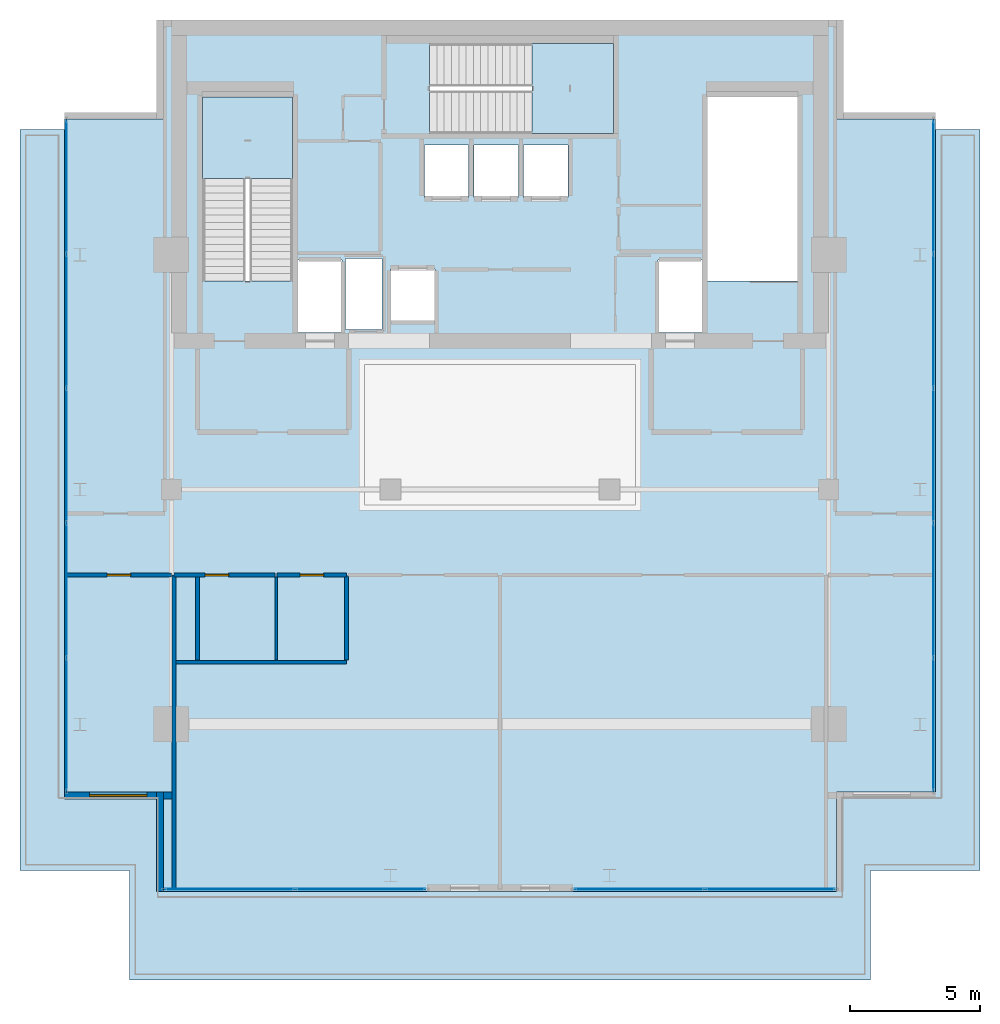
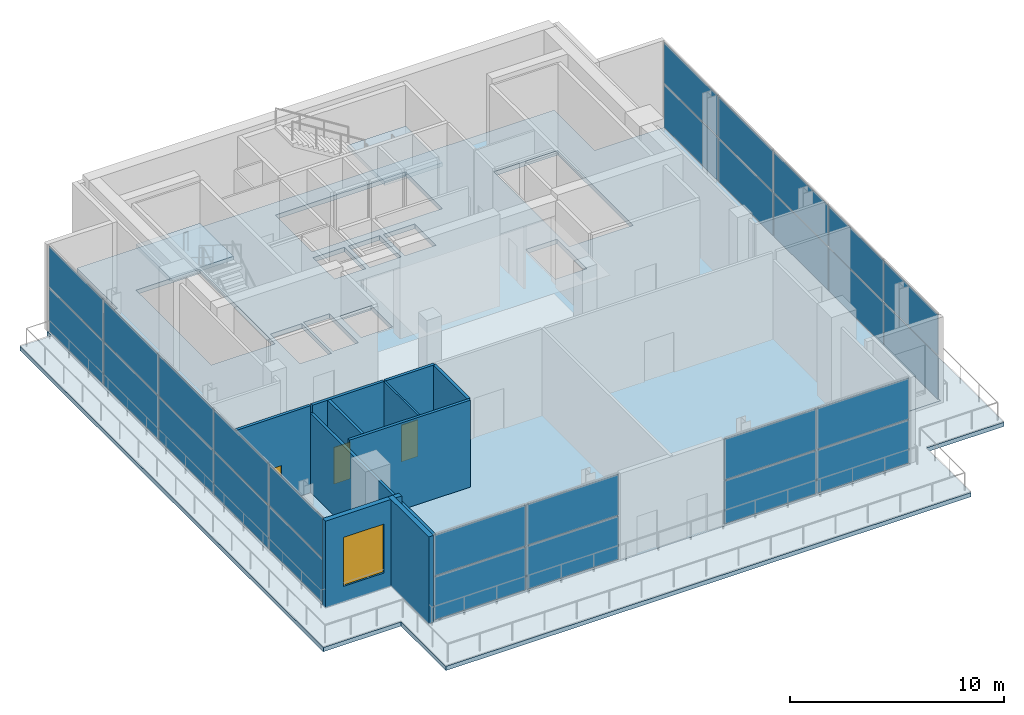
# One storey, part 12 of 19: 28 plates, 10 walls, 4 slabs, 3 doors, 1 window, 4 openings, 6 elements without a shape of their own.
"""IFC4 building model written with IfcOpenShell, lengths in metres."""

from ifc_helpers import new_model, si_unit, direction, frame, frame_2d, origin, origin_2d, place, context, subcontext, project, spatial, polyline, rectangle, outline, extrude, material, layer, layer_set, type_object, element, fill, aggregate, save


model = new_model("IFC4")

# Units and contexts
model_context = context("Model", 3, precision=1e-05, world=origin(), true_north=direction((0.0, 1.0)))
body_context = subcontext(model_context, "Body", "Model", "MODEL_VIEW")
ifc_project = project(units=[si_unit("LENGTHUNIT", "METRE"), si_unit("AREAUNIT", "SQUARE_METRE"), si_unit("VOLUMEUNIT", "CUBIC_METRE"), si_unit("PLANEANGLEUNIT", "RADIAN"), si_unit("MASSUNIT", "GRAM", prefix="KILO")], contexts=[model_context])

# Site, building, storey
site_placement = place(None, origin())
site = spatial("IfcSite", under=ifc_project, at=site_placement, CompositionType="ELEMENT")
building_placement = place(site_placement, origin())
building = spatial("IfcBuilding", under=site, at=building_placement, Name="Maruvema Waterfront Hotel and Observation Tower", CompositionType="ELEMENT")
storey_placement = place(building_placement, frame((0.0, 0.0, 359.10009765625)))
storey = spatial("IfcBuildingStorey", under=building, at=storey_placement, Name="L88", CompositionType="ELEMENT", Elevation=359.10009765625)

# Slabs
ifc_material_1 = material(Name="Concrete C50/60", Category="concrete")
ifc_layer_1 = layer(ifc_material_1, 0.239990234375, Name="Outdoor Setback Terrace Deck Slab 240 mm")
ifc_layer_set_1 = layer_set([ifc_layer_1], Name="Concrete C50/60")
slab_type_1 = type_object("IfcSlabType", Name="Outdoor Setback Terrace Deck Slab 240 mm", PredefinedType="FLOOR", material=ifc_layer_set_1)
slab_1_placement = place(storey_placement, frame((0.0, 0.0, -0.239990234375)))
element("IfcSlab", 1, at=slab_1_placement, inside=storey, type_object=slab_type_1, Name="L88 Outdoor Setback Terrace Deck 1", PredefinedType="FLOOR", context=body_context, shape_type="SweptSolid", body=[
    extrude(outline(polyline([(56.199951171875, 49.800048828125), (56.199951171875, 21.39990234375), (52.0, 21.39990234375), (52.0, 17.199951171875), (23.60009765625, 17.199951171875), (23.60009765625, 21.39990234375), (19.39990234375, 21.39990234375), (19.39990234375, 49.800048828125), (21.10009765625, 49.800048828125), (21.10009765625, 24.39990234375), (24.89990234375, 24.39990234375), (24.89990234375, 20.60009765625), (50.699951171875, 20.60009765625), (50.699951171875, 24.39990234375), (54.5, 24.39990234375), (54.5, 49.800048828125), (56.199951171875, 49.800048828125)])), origin(), (0.0, 0.0, 1.0), 0.239990234375),
])
ifc_material_2 = material(Name="Concrete C50/60", Category="concrete")
ifc_layer_2 = layer(ifc_material_2, 0.260009765625, Name="Reinforced Concrete Floor Slab 260 mm")
ifc_layer_set_2 = layer_set([ifc_layer_2], Name="Concrete C50/60")
slab_type_2 = type_object("IfcSlabType", Name="Reinforced Concrete Floor Slab 260 mm", PredefinedType="FLOOR", material=ifc_layer_set_2)
slab_2_placement = place(storey_placement, frame((0.0, 0.0, -0.260009765625)))
element("IfcSlab", 2, at=slab_2_placement, inside=storey, type_object=slab_type_2, Name="L88 Structural Floor Slab", PredefinedType="FLOOR", context=body_context, shape_type="SweptSolid", body=[
    extrude(outline(polyline([(24.89990234375, 20.60009765625), (50.699951171875, 20.60009765625), (50.699951171875, 24.39990234375), (54.5, 24.39990234375), (54.5, 50.199951171875), (50.699951171875, 50.199951171875), (50.699951171875, 54.0), (24.89990234375, 54.0), (24.89990234375, 50.199951171875), (21.10009765625, 50.199951171875), (21.10009765625, 24.39990234375), (24.89990234375, 24.39990234375), (24.89990234375, 20.60009765625)]), holes=[polyline([(26.39990234375, 44.00048828125), (26.39990234375, 51.050048828125), (29.85009765625, 51.050048828125), (29.85009765625, 44.00048828125), (26.39990234375, 44.00048828125)]), polyline([(30.050048828125, 42.02001953125), (30.050048828125, 44.800048828125), (31.75, 44.800048828125), (31.75, 42.02001953125), (30.050048828125, 42.02001953125)]), polyline([(31.8798828125, 44.860107421875), (33.280029296875, 44.860107421875), (33.280029296875, 42.139892578125), (31.8798828125, 42.139892578125), (31.8798828125, 44.860107421875)]), polyline([(33.60009765625, 42.449951171875), (33.60009765625, 44.449951171875), (35.300048828125, 44.449951171875), (35.300048828125, 42.449951171875), (33.60009765625, 42.449951171875)]), polyline([(34.89990234375, 47.199951171875), (34.89990234375, 49.199951171875), (36.60009765625, 49.199951171875), (36.60009765625, 47.199951171875), (34.89990234375, 47.199951171875)]), polyline([(36.800048828125, 47.199951171875), (36.800048828125, 49.199951171875), (38.5, 49.199951171875), (38.5, 47.199951171875), (36.800048828125, 47.199951171875)]), polyline([(35.1005859375, 53.10009765625), (42.14990234375, 53.10009765625), (42.14990234375, 49.64990234375), (35.1005859375, 49.64990234375), (35.1005859375, 53.10009765625)]), polyline([(38.699951171875, 49.199951171875), (40.39990234375, 49.199951171875), (40.39990234375, 47.199951171875), (38.699951171875, 47.199951171875), (38.699951171875, 49.199951171875)]), polyline([(43.85009765625, 42.02001953125), (43.85009765625, 44.800048828125), (45.550048828125, 44.800048828125), (45.550048828125, 42.02001953125), (43.85009765625, 42.02001953125)]), polyline([(49.199951171875, 44.00048828125), (45.75, 44.00048828125), (45.75, 51.050048828125), (49.199951171875, 51.050048828125), (49.199951171875, 44.00048828125)])]), origin(), (0.0, 0.0, 1.0), 0.260009765625),
])

# Curtain wall, plates
ifc_material_3 = material(Name="Anodised bronze aluminium and solar-control low-E IGU", Category="aluminium")
ifc_layer_3 = layer(ifc_material_3, 0.159912109375, Name="Observation Crown Structural Glazed Curtain Wall System CW-06")
ifc_layer_set_3 = layer_set([ifc_layer_3], Name="Anodised bronze aluminium and solar-control low-E IGU")
curtain_wall_type = type_object("IfcCurtainWallType", Name="Observation Crown Structural Glazed Curtain Wall System CW-06", PredefinedType="USERDEFINED", material=ifc_layer_set_3)
curtain_wall_1_placement = place(storey_placement, origin())
curtain_wall_1 = element("IfcCurtainWall", 3, at=curtain_wall_1_placement, inside=storey, type_object=curtain_wall_type, Name="L88 Curtain Wall CW-L88-SW", ObjectType="UNITISED CURTAIN WALL", PredefinedType="USERDEFINED")
ifc_material_4 = material(Name="Laminated low-E solar-control double glazing", Category="glass")
ifc_layer_4 = layer(ifc_material_4, 0.035888671875, Name="Solar Control Double-Glazed Curtain Panel 36 mm")
ifc_layer_set_4 = layer_set([ifc_layer_4], Name="Laminated low-E solar-control double glazing")
plate_type = type_object("IfcPlateType", Name="Solar Control Double-Glazed Curtain Panel 36 mm", PredefinedType="CURTAIN_PANEL", material=ifc_layer_set_4)
plate_1_placement = place(storey_placement, frame((27.43994140625, 20.679931640625, 0.059814453125), z_axis=(0.0, 0.0, 1.0), x_axis=(1.0, 0.0, 0.0)))
plate_1 = element("IfcPlate", 4, at=plate_1_placement, type_object=plate_type, Name="CW-06 panel 1.1", PredefinedType="CURTAIN_PANEL", context=body_context, shape_type="SweptSolid", body=[
    extrude(rectangle(XDim=4.9599609375, YDim=0.028076171875, at=origin_2d()), origin(), (0.0, 0.0, 1.0), 2.4599609375),
])
plate_2_placement = place(storey_placement, frame((27.43994140625, 20.679931640625, 2.579833984375), z_axis=(0.0, 0.0, 1.0), x_axis=(1.0, 0.0, 0.0)))
plate_2 = element("IfcPlate", 5, at=plate_2_placement, type_object=plate_type, Name="CW-06 panel 1.2", PredefinedType="CURTAIN_PANEL", context=body_context, shape_type="SweptSolid", body=[
    extrude(rectangle(XDim=4.9599609375, YDim=0.028076171875, at=origin_2d()), origin(), (0.0, 0.0, 1.0), 2.330078125),
])
plate_3_placement = place(storey_placement, frame((32.4599609375, 20.679931640625, 0.059814453125), z_axis=(0.0, 0.0, 1.0), x_axis=(1.0, 0.0, 0.0)))
plate_3 = element("IfcPlate", 6, at=plate_3_placement, type_object=plate_type, Name="CW-06 panel 2.1", PredefinedType="CURTAIN_PANEL", context=body_context, shape_type="SweptSolid", body=[
    extrude(rectangle(XDim=4.9599609375, YDim=0.028076171875, at=origin_2d()), origin(), (0.0, 0.0, 1.0), 2.4599609375),
])
plate_4_placement = place(storey_placement, frame((32.4599609375, 20.679931640625, 2.579833984375), z_axis=(0.0, 0.0, 1.0), x_axis=(1.0, 0.0, 0.0)))
plate_4 = element("IfcPlate", 7, at=plate_4_placement, type_object=plate_type, Name="CW-06 panel 2.2", PredefinedType="CURTAIN_PANEL", context=body_context, shape_type="SweptSolid", body=[
    extrude(rectangle(XDim=4.9599609375, YDim=0.028076171875, at=origin_2d()), origin(), (0.0, 0.0, 1.0), 2.330078125),
])
aggregate(curtain_wall_1, [plate_1, plate_2, plate_3, plate_4])

curtain_wall_2_placement = place(storey_placement, origin())
curtain_wall_2 = element("IfcCurtainWall", 8, at=curtain_wall_2_placement, inside=storey, type_object=curtain_wall_type, Name="L88 Curtain Wall CW-L88-SE", ObjectType="UNITISED CURTAIN WALL", PredefinedType="USERDEFINED")
plate_5_placement = place(storey_placement, frame((43.139892578125, 20.679931640625, 0.059814453125), z_axis=(0.0, 0.0, 1.0), x_axis=(1.0, 0.0, 0.0)))
plate_5 = element("IfcPlate", 9, at=plate_5_placement, type_object=plate_type, Name="CW-06 panel 1.1", PredefinedType="CURTAIN_PANEL", context=body_context, shape_type="SweptSolid", body=[
    extrude(rectangle(XDim=4.9599609375, YDim=0.028076171875, at=origin_2d()), origin(), (0.0, 0.0, 1.0), 2.4599609375),
])
plate_6_placement = place(storey_placement, frame((43.139892578125, 20.679931640625, 2.579833984375), z_axis=(0.0, 0.0, 1.0), x_axis=(1.0, 0.0, 0.0)))
plate_6 = element("IfcPlate", 10, at=plate_6_placement, type_object=plate_type, Name="CW-06 panel 1.2", PredefinedType="CURTAIN_PANEL", context=body_context, shape_type="SweptSolid", body=[
    extrude(rectangle(XDim=4.9599609375, YDim=0.028076171875, at=origin_2d()), origin(), (0.0, 0.0, 1.0), 2.330078125),
])
plate_7_placement = place(storey_placement, frame((48.159912109375, 20.679931640625, 0.059814453125), z_axis=(0.0, 0.0, 1.0), x_axis=(1.0, 0.0, 0.0)))
plate_7 = element("IfcPlate", 11, at=plate_7_placement, type_object=plate_type, Name="CW-06 panel 2.1", PredefinedType="CURTAIN_PANEL", context=body_context, shape_type="SweptSolid", body=[
    extrude(rectangle(XDim=4.9599609375, YDim=0.028076171875, at=origin_2d()), origin(), (0.0, 0.0, 1.0), 2.4599609375),
])
plate_8_placement = place(storey_placement, frame((48.159912109375, 20.679931640625, 2.579833984375), z_axis=(0.0, 0.0, 1.0), x_axis=(1.0, 0.0, 0.0)))
plate_8 = element("IfcPlate", 12, at=plate_8_placement, type_object=plate_type, Name="CW-06 panel 2.2", PredefinedType="CURTAIN_PANEL", context=body_context, shape_type="SweptSolid", body=[
    extrude(rectangle(XDim=4.9599609375, YDim=0.028076171875, at=origin_2d()), origin(), (0.0, 0.0, 1.0), 2.330078125),
])
aggregate(curtain_wall_2, [plate_5, plate_6, plate_7, plate_8])

curtain_wall_3_placement = place(storey_placement, origin())
curtain_wall_3 = element("IfcCurtainWall", 13, at=curtain_wall_3_placement, inside=storey, type_object=curtain_wall_type, Name="L88 Curtain Wall CW-L88-E", ObjectType="UNITISED CURTAIN WALL", PredefinedType="USERDEFINED")
plate_9_placement = place(storey_placement, frame((54.419921875, 26.9951171875, 0.059814453125), z_axis=(0.0, 0.0, 1.0), x_axis=(0.0, 1.0, 0.0)))
plate_9 = element("IfcPlate", 14, at=plate_9_placement, type_object=plate_type, Name="CW-06 panel 1.1", PredefinedType="CURTAIN_PANEL", context=body_context, shape_type="SweptSolid", body=[
    extrude(rectangle(XDim=5.070068359375, YDim=0.028076171875, at=origin_2d()), origin(), (0.0, 0.0, 1.0), 2.4599609375),
])
plate_10_placement = place(storey_placement, frame((54.419921875, 26.9951171875, 2.579833984375), z_axis=(0.0, 0.0, 1.0), x_axis=(0.0, 1.0, 0.0)))
plate_10 = element("IfcPlate", 15, at=plate_10_placement, type_object=plate_type, Name="CW-06 panel 1.2", PredefinedType="CURTAIN_PANEL", context=body_context, shape_type="SweptSolid", body=[
    extrude(rectangle(XDim=5.070068359375, YDim=0.028076171875, at=origin_2d()), origin(), (0.0, 0.0, 1.0), 2.330078125),
])
plate_11_placement = place(storey_placement, frame((54.419921875, 32.139892578125, 0.059814453125), z_axis=(0.0, 0.0, 1.0), x_axis=(0.0, 1.0, 0.0)))
plate_11 = element("IfcPlate", 16, at=plate_11_placement, type_object=plate_type, Name="CW-06 panel 2.1", PredefinedType="CURTAIN_PANEL", context=body_context, shape_type="SweptSolid", body=[
    extrude(rectangle(XDim=5.10009765625, YDim=0.028076171875, at=origin_2d()), origin(), (0.0, 0.0, 1.0), 2.4599609375),
])
plate_12_placement = place(storey_placement, frame((54.419921875, 32.139892578125, 2.579833984375), z_axis=(0.0, 0.0, 1.0), x_axis=(0.0, 1.0, 0.0)))
plate_12 = element("IfcPlate", 17, at=plate_12_placement, type_object=plate_type, Name="CW-06 panel 2.2", PredefinedType="CURTAIN_PANEL", context=body_context, shape_type="SweptSolid", body=[
    extrude(rectangle(XDim=5.10009765625, YDim=0.028076171875, at=origin_2d()), origin(), (0.0, 0.0, 1.0), 2.330078125),
])
plate_13_placement = place(storey_placement, frame((54.419921875, 37.300048828125, 0.059814453125), z_axis=(0.0, 0.0, 1.0), x_axis=(0.0, 1.0, 0.0)))
plate_13 = element("IfcPlate", 18, at=plate_13_placement, type_object=plate_type, Name="CW-06 panel 3.1", PredefinedType="CURTAIN_PANEL", context=body_context, shape_type="SweptSolid", body=[
    extrude(rectangle(XDim=5.10009765625, YDim=0.028076171875, at=origin_2d()), origin(), (0.0, 0.0, 1.0), 2.4599609375),
])
plate_14_placement = place(storey_placement, frame((54.419921875, 37.300048828125, 2.579833984375), z_axis=(0.0, 0.0, 1.0), x_axis=(0.0, 1.0, 0.0)))
plate_14 = element("IfcPlate", 19, at=plate_14_placement, type_object=plate_type, Name="CW-06 panel 3.2", PredefinedType="CURTAIN_PANEL", context=body_context, shape_type="SweptSolid", body=[
    extrude(rectangle(XDim=5.10009765625, YDim=0.028076171875, at=origin_2d()), origin(), (0.0, 0.0, 1.0), 2.330078125),
])
plate_15_placement = place(storey_placement, frame((54.419921875, 42.4599609375, 0.059814453125), z_axis=(0.0, 0.0, 1.0), x_axis=(0.0, 1.0, 0.0)))
plate_15 = element("IfcPlate", 20, at=plate_15_placement, type_object=plate_type, Name="CW-06 panel 4.1", PredefinedType="CURTAIN_PANEL", context=body_context, shape_type="SweptSolid", body=[
    extrude(rectangle(XDim=5.10009765625, YDim=0.028076171875, at=origin_2d()), origin(), (0.0, 0.0, 1.0), 2.4599609375),
])
plate_16_placement = place(storey_placement, frame((54.419921875, 42.4599609375, 2.579833984375), z_axis=(0.0, 0.0, 1.0), x_axis=(0.0, 1.0, 0.0)))
plate_16 = element("IfcPlate", 21, at=plate_16_placement, type_object=plate_type, Name="CW-06 panel 4.2", PredefinedType="CURTAIN_PANEL", context=body_context, shape_type="SweptSolid", body=[
    extrude(rectangle(XDim=5.10009765625, YDim=0.028076171875, at=origin_2d()), origin(), (0.0, 0.0, 1.0), 2.330078125),
])
plate_17_placement = place(storey_placement, frame((54.419921875, 47.60498046875, 0.059814453125), z_axis=(0.0, 0.0, 1.0), x_axis=(0.0, 1.0, 0.0)))
plate_17 = element("IfcPlate", 22, at=plate_17_placement, type_object=plate_type, Name="CW-06 panel 5.1", PredefinedType="CURTAIN_PANEL", context=body_context, shape_type="SweptSolid", body=[
    extrude(rectangle(XDim=5.070068359375, YDim=0.028076171875, at=origin_2d()), origin(), (0.0, 0.0, 1.0), 2.4599609375),
])
plate_18_placement = place(storey_placement, frame((54.419921875, 47.60498046875, 2.579833984375), z_axis=(0.0, 0.0, 1.0), x_axis=(0.0, 1.0, 0.0)))
plate_18 = element("IfcPlate", 23, at=plate_18_placement, type_object=plate_type, Name="CW-06 panel 5.2", PredefinedType="CURTAIN_PANEL", context=body_context, shape_type="SweptSolid", body=[
    extrude(rectangle(XDim=5.070068359375, YDim=0.028076171875, at=origin_2d()), origin(), (0.0, 0.0, 1.0), 2.330078125),
])
aggregate(curtain_wall_3, [plate_9, plate_10, plate_11, plate_12, plate_13, plate_14, plate_15, plate_16, plate_17, plate_18])

curtain_wall_4_placement = place(storey_placement, origin())
curtain_wall_4 = element("IfcCurtainWall", 24, at=curtain_wall_4_placement, inside=storey, type_object=curtain_wall_type, Name="L88 Curtain Wall CW-L88-W", ObjectType="UNITISED CURTAIN WALL", PredefinedType="USERDEFINED")
plate_19_placement = place(storey_placement, frame((21.179931640625, 47.60498046875, 0.059814453125), z_axis=(0.0, 0.0, 1.0), x_axis=(0.0, -1.0, 0.0)))
plate_19 = element("IfcPlate", 25, at=plate_19_placement, type_object=plate_type, Name="CW-06 panel 1.1", PredefinedType="CURTAIN_PANEL", context=body_context, shape_type="SweptSolid", body=[
    extrude(rectangle(XDim=5.070068359375, YDim=0.028076171875, at=origin_2d()), origin(), (0.0, 0.0, 1.0), 2.4599609375),
])
plate_20_placement = place(storey_placement, frame((21.179931640625, 47.60498046875, 2.579833984375), z_axis=(0.0, 0.0, 1.0), x_axis=(0.0, -1.0, 0.0)))
plate_20 = element("IfcPlate", 26, at=plate_20_placement, type_object=plate_type, Name="CW-06 panel 1.2", PredefinedType="CURTAIN_PANEL", context=body_context, shape_type="SweptSolid", body=[
    extrude(rectangle(XDim=5.070068359375, YDim=0.028076171875, at=origin_2d()), origin(), (0.0, 0.0, 1.0), 2.330078125),
])
plate_21_placement = place(storey_placement, frame((21.179931640625, 42.4599609375, 0.059814453125), z_axis=(0.0, 0.0, 1.0), x_axis=(0.0, -1.0, 0.0)))
plate_21 = element("IfcPlate", 27, at=plate_21_placement, type_object=plate_type, Name="CW-06 panel 2.1", PredefinedType="CURTAIN_PANEL", context=body_context, shape_type="SweptSolid", body=[
    extrude(rectangle(XDim=5.10009765625, YDim=0.028076171875, at=origin_2d()), origin(), (0.0, 0.0, 1.0), 2.4599609375),
])
plate_22_placement = place(storey_placement, frame((21.179931640625, 42.4599609375, 2.579833984375), z_axis=(0.0, 0.0, 1.0), x_axis=(0.0, -1.0, 0.0)))
plate_22 = element("IfcPlate", 28, at=plate_22_placement, type_object=plate_type, Name="CW-06 panel 2.2", PredefinedType="CURTAIN_PANEL", context=body_context, shape_type="SweptSolid", body=[
    extrude(rectangle(XDim=5.10009765625, YDim=0.028076171875, at=origin_2d()), origin(), (0.0, 0.0, 1.0), 2.330078125),
])
plate_23_placement = place(storey_placement, frame((21.179931640625, 37.300048828125, 0.059814453125), z_axis=(0.0, 0.0, 1.0), x_axis=(0.0, -1.0, 0.0)))
plate_23 = element("IfcPlate", 29, at=plate_23_placement, type_object=plate_type, Name="CW-06 panel 3.1", PredefinedType="CURTAIN_PANEL", context=body_context, shape_type="SweptSolid", body=[
    extrude(rectangle(XDim=5.10009765625, YDim=0.028076171875, at=origin_2d()), origin(), (0.0, 0.0, 1.0), 2.4599609375),
])
plate_24_placement = place(storey_placement, frame((21.179931640625, 37.300048828125, 2.579833984375), z_axis=(0.0, 0.0, 1.0), x_axis=(0.0, -1.0, 0.0)))
plate_24 = element("IfcPlate", 30, at=plate_24_placement, type_object=plate_type, Name="CW-06 panel 3.2", PredefinedType="CURTAIN_PANEL", context=body_context, shape_type="SweptSolid", body=[
    extrude(rectangle(XDim=5.10009765625, YDim=0.028076171875, at=origin_2d()), origin(), (0.0, 0.0, 1.0), 2.330078125),
])
plate_25_placement = place(storey_placement, frame((21.179931640625, 32.139892578125, 0.059814453125), z_axis=(0.0, 0.0, 1.0), x_axis=(0.0, -1.0, 0.0)))
plate_25 = element("IfcPlate", 31, at=plate_25_placement, type_object=plate_type, Name="CW-06 panel 4.1", PredefinedType="CURTAIN_PANEL", context=body_context, shape_type="SweptSolid", body=[
    extrude(rectangle(XDim=5.10009765625, YDim=0.028076171875, at=origin_2d()), origin(), (0.0, 0.0, 1.0), 2.4599609375),
])
plate_26_placement = place(storey_placement, frame((21.179931640625, 32.139892578125, 2.579833984375), z_axis=(0.0, 0.0, 1.0), x_axis=(0.0, -1.0, 0.0)))
plate_26 = element("IfcPlate", 32, at=plate_26_placement, type_object=plate_type, Name="CW-06 panel 4.2", PredefinedType="CURTAIN_PANEL", context=body_context, shape_type="SweptSolid", body=[
    extrude(rectangle(XDim=5.10009765625, YDim=0.028076171875, at=origin_2d()), origin(), (0.0, 0.0, 1.0), 2.330078125),
])
plate_27_placement = place(storey_placement, frame((21.179931640625, 26.9951171875, 0.059814453125), z_axis=(0.0, 0.0, 1.0), x_axis=(0.0, -1.0, 0.0)))
plate_27 = element("IfcPlate", 33, at=plate_27_placement, type_object=plate_type, Name="CW-06 panel 5.1", PredefinedType="CURTAIN_PANEL", context=body_context, shape_type="SweptSolid", body=[
    extrude(rectangle(XDim=5.070068359375, YDim=0.028076171875, at=origin_2d()), origin(), (0.0, 0.0, 1.0), 2.4599609375),
])
plate_28_placement = place(storey_placement, frame((21.179931640625, 26.9951171875, 2.579833984375), z_axis=(0.0, 0.0, 1.0), x_axis=(0.0, -1.0, 0.0)))
plate_28 = element("IfcPlate", 34, at=plate_28_placement, type_object=plate_type, Name="CW-06 panel 5.2", PredefinedType="CURTAIN_PANEL", context=body_context, shape_type="SweptSolid", body=[
    extrude(rectangle(XDim=5.070068359375, YDim=0.028076171875, at=origin_2d()), origin(), (0.0, 0.0, 1.0), 2.330078125),
])
aggregate(curtain_wall_4, [plate_19, plate_20, plate_21, plate_22, plate_23, plate_24, plate_25, plate_26, plate_27, plate_28])

# Stair, slab
ifc_material_5 = material(Name="Concrete C50/60", Category="concrete")
stair_type = type_object("IfcStairType", Name="Dogleg Exit Stair 1650 mm (30R x 175.0 mm)", PredefinedType="HALF_TURN_STAIR", material=ifc_material_5)
stair_1_placement = place(storey_placement, origin())
stair_1 = element("IfcStair", 35, at=stair_1_placement, inside=storey, type_object=stair_type, Name="L88 ST-01", PredefinedType="HALF_TURN_STAIR")
ifc_material_6 = material(Name="Concrete C50/60", Category="concrete")
ifc_layer_5 = layer(ifc_material_6, 0.219970703125, Name="Stair Concrete Landing Slab 220 mm")
ifc_layer_set_5 = layer_set([ifc_layer_5], Name="Concrete C50/60")
slab_type_3 = type_object("IfcSlabType", Name="Stair Concrete Landing Slab 220 mm", PredefinedType="LANDING", material=ifc_layer_set_5)
slab_3_placement = place(storey_placement, frame((0.0, 0.0, 2.40478515625)))
slab_3 = element("IfcSlab", 36, at=slab_3_placement, type_object=slab_type_3, Name="ST-01 landing 1", PredefinedType="LANDING", context=body_context, shape_type="SweptSolid", body=[
    extrude(outline(polyline([(29.85009765625, 47.919921875), (29.85009765625, 51.050048828125), (26.39990234375, 51.050048828125), (26.39990234375, 47.919921875), (29.85009765625, 47.919921875)])), origin(), (0.0, 0.0, 1.0), 0.22021484375),
])
aggregate(stair_1, [slab_3])

stair_2_placement = place(storey_placement, origin())
stair_2 = element("IfcStair", 37, at=stair_2_placement, inside=storey, type_object=stair_type, Name="L88 ST-02", PredefinedType="HALF_TURN_STAIR")
slab_4_placement = place(storey_placement, frame((0.0, 0.0, 2.40478515625)))
slab_4 = element("IfcSlab", 38, at=slab_4_placement, type_object=slab_type_3, Name="ST-02 landing 1", PredefinedType="LANDING", context=body_context, shape_type="SweptSolid", body=[
    extrude(outline(polyline([(39.02001953125, 49.64990234375), (42.14990234375, 49.64990234375), (42.14990234375, 53.10009765625), (39.02001953125, 53.10009765625), (39.02001953125, 49.64990234375)])), origin(), (0.0, 0.0, 1.0), 0.22021484375),
])
aggregate(stair_2, [slab_4])

# Wall, opening, door
ifc_material_7 = material(Name="Twin-stud acoustic gypsum drywall", Category="gypsum")
ifc_layer_6 = layer(ifc_material_7, 0.14990234375, Name="Acoustic Corridor and Suite Demising Wall 150 mm")
ifc_layer_set_6 = layer_set([ifc_layer_6], Name="Twin-stud acoustic gypsum drywall")
wall_type_1 = type_object("IfcWallType", Name="Acoustic Corridor and Suite Demising Wall 150 mm", PredefinedType="PARTITIONING", material=ifc_layer_set_6)
wall_1_placement = place(storey_placement, frame((25.300048828125, 32.719970703125, 0.0), z_axis=(0.0, 0.0, 1.0), x_axis=(1.0, 0.0, 0.0)))
wall_1 = element("IfcWall", 39, at=wall_1_placement, inside=storey, type_object=wall_type_1, Name="L88 L88 Public WC North 022", PredefinedType="PARTITIONING", context=body_context, shape_type="SweptSolid", body=[
    extrude(rectangle(XDim=3.8798828125, YDim=0.14990234375, at=frame_2d((1.93994140625, 0.0))), origin(), (0.0, 0.0, 1.0), 4.969970703125),
])
opening_1_placement = place(wall_1_placement, frame((1.199951171875, 0.0, 0.0)))
opening_1 = element("IfcOpeningElement", 40, at=opening_1_placement, cuts=wall_1, Name="Opening DR-090", PredefinedType="OPENING", context=body_context, shape_type="SweptSolid", body=[
    extrude(rectangle(XDim=0.89990234375, YDim=2.10009765625, at=frame_2d((0.449951171875, 1.050048828125))), frame((0.0, 0.0849609375, 0.0), z_axis=(0.0, -1.0, 0.0), x_axis=(1.0, 0.0, 0.0)), (0.0, 0.0, 1.0), 0.169921875),
])
ifc_material_8 = material(Name="Solid-core lacquered timber leaf", Category="wood")
door_type = type_object("IfcDoorType", Name="Accessible Toilet and Room Door 900x2100 mm", OperationType="NOTDEFINED", PredefinedType="DOOR", material=ifc_material_8)
door_1_placement = place(opening_1_placement, origin())
door_1 = element("IfcDoor", 41, at=door_1_placement, inside=storey, type_object=door_type, Name="L88 Public Toilet Door", OperationType="SINGLE_SWING_LEFT", OverallHeight=2.10009765625, OverallWidth=0.89990234375, PredefinedType="DOOR", context=body_context, shape_type="SweptSolid", body=[
    extrude(rectangle(XDim=0.89990234375, YDim=2.10009765625, at=frame_2d((0.449951171875, 1.050048828125))), frame((0.0, 0.02490234375, 0.0), z_axis=(0.0, -1.0, 0.0), x_axis=(1.0, 0.0, 0.0)), (0.0, 0.0, 1.0), 0.050048828125),
])
fill(opening_1, door_1)

wall_2_placement = place(storey_placement, frame((29.260009765625, 32.719970703125, 0.0), z_axis=(0.0, 0.0, 1.0), x_axis=(1.0, 0.0, 0.0)))
wall_2 = element("IfcWall", 42, at=wall_2_placement, inside=storey, type_object=wall_type_1, Name="L88 L88 Acc WC North 023", PredefinedType="PARTITIONING", context=body_context, shape_type="SweptSolid", body=[
    extrude(rectangle(XDim=2.659912109375, YDim=0.14990234375, at=frame_2d((1.330078125, 0.0))), origin(), (0.0, 0.0, 1.0), 4.969970703125),
])
opening_2_placement = place(wall_2_placement, frame((0.8798828125, 0.0, 0.0)))
opening_2 = element("IfcOpeningElement", 43, at=opening_2_placement, cuts=wall_2, Name="Opening DR-090", PredefinedType="OPENING", context=body_context, shape_type="SweptSolid", body=[
    extrude(rectangle(XDim=0.89990234375, YDim=2.10009765625, at=frame_2d((0.449951171875, 1.050048828125))), frame((0.0, 0.0849609375, 0.0), z_axis=(0.0, -1.0, 0.0), x_axis=(1.0, 0.0, 0.0)), (0.0, 0.0, 1.0), 0.169921875),
])
door_2_placement = place(opening_2_placement, origin())
door_2 = element("IfcDoor", 44, at=door_2_placement, inside=storey, type_object=door_type, Name="L88 Accessible WC Door", OperationType="SINGLE_SWING_RIGHT", OverallHeight=2.10009765625, OverallWidth=0.89990234375, PredefinedType="DOOR", context=body_context, shape_type="SweptSolid", body=[
    extrude(rectangle(XDim=0.89990234375, YDim=2.10009765625, at=frame_2d((0.449951171875, 1.050048828125))), frame((0.0, 0.02490234375, 0.0), z_axis=(0.0, -1.0, 0.0), x_axis=(1.0, 0.0, 0.0)), (0.0, 0.0, 1.0), 0.050048828125),
])
fill(opening_2, door_2)

# Walls
wall_3_placement = place(storey_placement, frame((25.3798828125, 29.3798828125, 0.0), z_axis=(0.0, 0.0, 1.0), x_axis=(1.0, 0.0, 0.0)))
element("IfcWall", 45, at=wall_3_placement, inside=storey, type_object=wall_type_1, Name="L88 L88 WC South 024", PredefinedType="PARTITIONING", context=body_context, shape_type="SweptSolid", body=[
    extrude(rectangle(XDim=6.5400390625, YDim=0.14990234375, at=frame_2d((3.27001953125, 0.0))), origin(), (0.0, 0.0, 1.0), 4.969970703125),
])
wall_4_placement = place(storey_placement, frame((26.199951171875, 29.4599609375, 0.0), z_axis=(0.0, 0.0, 1.0), x_axis=(0.0, 1.0, 0.0)))
element("IfcWall", 46, at=wall_4_placement, inside=storey, type_object=wall_type_1, Name="L88 L88 WC West 025", PredefinedType="PARTITIONING", context=body_context, shape_type="SweptSolid", body=[
    extrude(rectangle(XDim=3.179931640625, YDim=0.14990234375, at=frame_2d((1.58984375, 0.0))), origin(), (0.0, 0.0, 1.0), 4.969970703125),
])
wall_5_placement = place(storey_placement, frame((31.919921875, 29.4599609375, 0.0), z_axis=(0.0, 0.0, 1.0), x_axis=(0.0, 1.0, 0.0)))
element("IfcWall", 47, at=wall_5_placement, inside=storey, type_object=wall_type_1, Name="L88 L88 WC East 027", PredefinedType="PARTITIONING", context=body_context, shape_type="SweptSolid", body=[
    extrude(rectangle(XDim=3.219970703125, YDim=0.14990234375, at=frame_2d((1.60986328125, 0.0))), origin(), (0.0, 0.0, 1.0), 4.969970703125),
])
wall_6_placement = place(storey_placement, frame((25.300048828125, 20.679931640625, 0.0), z_axis=(0.0, 0.0, 1.0), x_axis=(0.0, 1.0, 0.0)))
element("IfcWall", 48, at=wall_6_placement, inside=storey, type_object=wall_type_1, Name="L88 L88 West Spine 029", PredefinedType="PARTITIONING", context=body_context, shape_type="SweptSolid", body=[
    extrude(rectangle(XDim=12.0400390625, YDim=0.14990234375, at=frame_2d((6.02001953125, 0.0))), origin(), (0.0, 0.0, 1.0), 4.5068359375),
])

# Wall, opening, door
wall_7_placement = place(storey_placement, frame((21.179931640625, 32.719970703125, 0.0), z_axis=(0.0, 0.0, 1.0), x_axis=(1.0, 0.0, 0.0)))
wall_7 = element("IfcWall", 49, at=wall_7_placement, inside=storey, type_object=wall_type_1, Name="L88 L88 Telescope North 033", PredefinedType="PARTITIONING", context=body_context, shape_type="SweptSolid", body=[
    extrude(rectangle(XDim=4.02001953125, YDim=0.14990234375, at=frame_2d((2.010009765625, 0.0))), origin(), (0.0, 0.0, 1.0), 4.969970703125),
])
opening_3_placement = place(wall_7_placement, frame((1.56005859375, 0.0, 0.0)))
opening_3 = element("IfcOpeningElement", 50, at=opening_3_placement, cuts=wall_7, Name="Opening DR-090", PredefinedType="OPENING", context=body_context, shape_type="SweptSolid", body=[
    extrude(rectangle(XDim=0.89990234375, YDim=2.10009765625, at=frame_2d((0.449951171875, 1.050048828125))), frame((0.0, 0.0849609375, 0.0), z_axis=(0.0, -1.0, 0.0), x_axis=(1.0, 0.0, 0.0)), (0.0, 0.0, 1.0), 0.169921875),
])
door_3_placement = place(opening_3_placement, origin())
door_3 = element("IfcDoor", 51, at=door_3_placement, inside=storey, type_object=door_type, Name="L88 Telescope Salon Door", OperationType="SINGLE_SWING_LEFT", OverallHeight=2.10009765625, OverallWidth=0.89990234375, PredefinedType="DOOR", context=body_context, shape_type="SweptSolid", body=[
    extrude(rectangle(XDim=0.89990234375, YDim=2.10009765625, at=frame_2d((0.449951171875, 1.050048828125))), frame((0.0, 0.02490234375, 0.0), z_axis=(0.0, -1.0, 0.0), x_axis=(1.0, 0.0, 0.0)), (0.0, 0.0, 1.0), 0.050048828125),
])
fill(opening_3, door_3)

# Walls
ifc_material_9 = material(Name="Moisture-resistant cement-board drywall", Category="gypsum")
ifc_layer_7 = layer(ifc_material_9, 0.10009765625, Name="En-Suite Moisture-Resistant Partition 100 mm")
ifc_layer_set_7 = layer_set([ifc_layer_7], Name="Moisture-resistant cement-board drywall")
wall_type_2 = type_object("IfcWallType", Name="En-Suite Moisture-Resistant Partition 100 mm", PredefinedType="PARTITIONING", material=ifc_layer_set_7)
wall_8_placement = place(storey_placement, frame((29.219970703125, 29.4599609375, 0.0), z_axis=(0.0, 0.0, 1.0), x_axis=(0.0, 1.0, 0.0)))
element("IfcWall", 52, at=wall_8_placement, inside=storey, type_object=wall_type_2, Name="L88 L88 WC Split 026", PredefinedType="PARTITIONING", context=body_context, shape_type="SweptSolid", body=[
    extrude(rectangle(XDim=3.179931640625, YDim=0.10009765625, at=frame_2d((1.58984375, 0.0))), origin(), (0.0, 0.0, 1.0), 4.969970703125),
])
ifc_material_10 = material(Name="Precast concrete C45/55 with honed Pernambuco granite facing", Category="masonry")
ifc_layer_8 = layer(ifc_material_10, 0.260009765625, Name="Exterior Granite Clad Spandrel and Pier Wall 260 mm")
ifc_layer_set_8 = layer_set([ifc_layer_8], Name="Precast concrete C45/55 with honed Pernambuco granite facing")
wall_type_3 = type_object("IfcWallType", Name="Exterior Granite Clad Spandrel and Pier Wall 260 mm", PredefinedType="SOLIDWALL", material=ifc_layer_set_8)
wall_9_placement = place(storey_placement, frame((24.77001953125, 20.60009765625, 0.0), z_axis=(0.0, 0.0, 1.0), x_axis=(0.0, 1.0, 0.0)))
element("IfcWall", 53, at=wall_9_placement, inside=storey, type_object=wall_type_3, Name="L88 Corner Notch Granite Pier Wall SW1", PredefinedType="SOLIDWALL", context=body_context, shape_type="SweptSolid", body=[
    extrude(rectangle(XDim=3.7998046875, YDim=0.260009765625, at=frame_2d((1.89990234375, 0.0))), origin(), (0.0, 0.0, 1.0), 4.969970703125),
])

# Wall, opening, window
wall_10_placement = place(storey_placement, frame((25.22998046875, 24.27001953125, 0.0), z_axis=(0.0, 0.0, 1.0), x_axis=(-1.0, 0.0, 0.0)))
wall_10 = element("IfcWall", 54, at=wall_10_placement, inside=storey, type_object=wall_type_3, Name="L88 Corner Notch Granite Pier Wall SW2", PredefinedType="SOLIDWALL", context=body_context, shape_type="SweptSolid", body=[
    extrude(rectangle(XDim=4.1298828125, YDim=0.260009765625, at=frame_2d((2.06494140625, 0.0))), origin(), (0.0, 0.0, 1.0), 4.969970703125),
])
opening_4_placement = place(wall_10_placement, frame((0.965087890625, 0.0, 0.89990234375)))
opening_4 = element("IfcOpeningElement", 55, at=opening_4_placement, cuts=wall_10, Name="Opening WN-05", PredefinedType="OPENING", context=body_context, shape_type="SweptSolid", body=[
    extrude(rectangle(XDim=2.199951171875, YDim=2.800048828125, at=frame_2d((1.10009765625, 1.39990234375))), frame((0.0, 0.14013671875, 0.0), z_axis=(0.0, -1.0, 0.0), x_axis=(1.0, 0.0, 0.0)), (0.0, 0.0, 1.0), 0.280029296875),
])
ifc_material_11 = material(Name="Anodised bronze aluminium frame with laminated low-E glass", Category="aluminium")
window_type = type_object("IfcWindowType", Name="Crown Gallery Observation Window 2200x2800 mm", PartitioningType="SINGLE_PANEL", PredefinedType="WINDOW", material=ifc_material_11)
window_placement = place(opening_4_placement, origin())
window = element("IfcWindow", 56, at=window_placement, inside=storey, type_object=window_type, Name="L88 Corner Notch Punched Window SW2", OverallHeight=2.800048828125, OverallWidth=2.199951171875, PartitioningType="SINGLE_PANEL", PredefinedType="WINDOW", context=body_context, shape_type="SweptSolid", body=[
    extrude(rectangle(XDim=2.199951171875, YDim=2.800048828125, at=frame_2d((1.10009765625, 1.39990234375))), frame((0.0, 0.030029296875, 0.0), z_axis=(0.0, -1.0, 0.0), x_axis=(1.0, 0.0, 0.0)), (0.0, 0.0, 1.0), 0.06005859375),
])
fill(opening_4, window)

save(model, "model.ifc")
